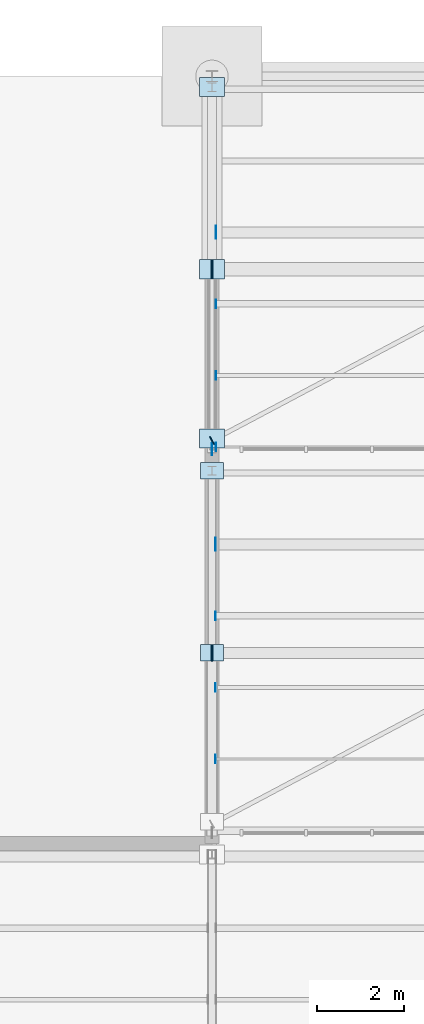
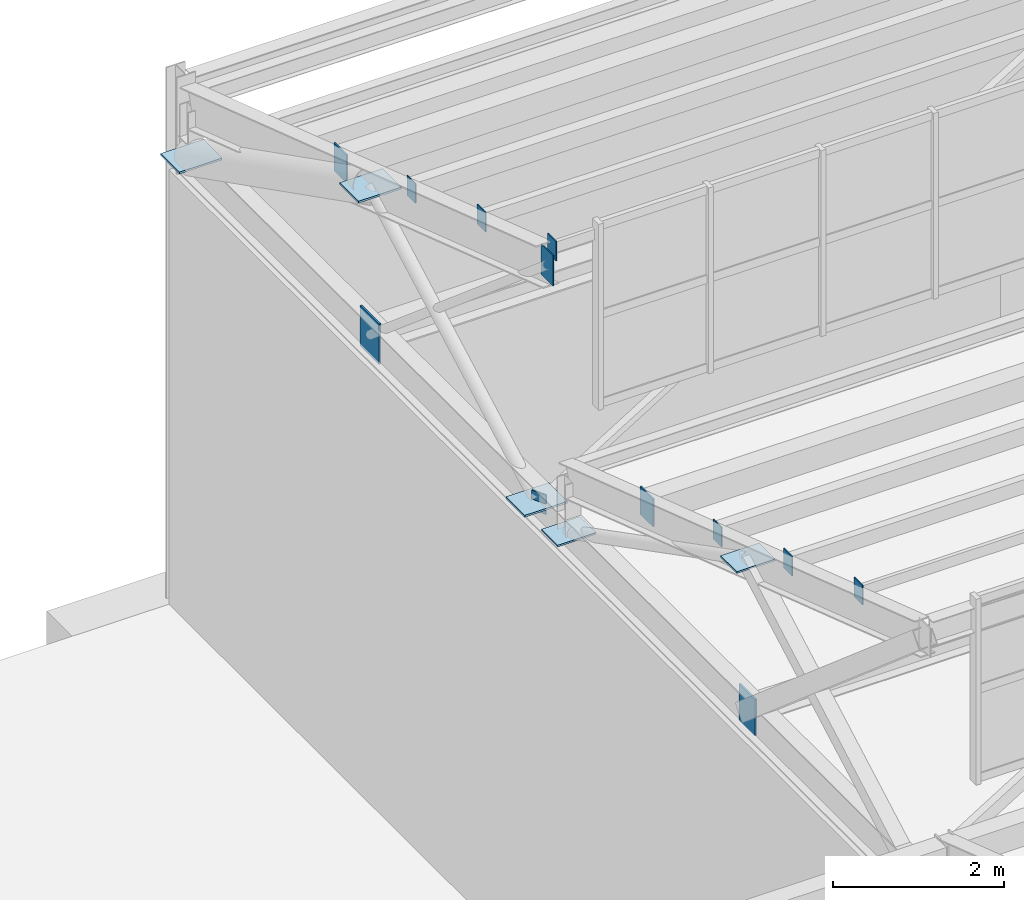
# One storey, part 242 of 285: 17 plates.
"""IFC4 building model written with IfcOpenShell, lengths in metres."""

from ifc_helpers import new_model, si_unit, direction, frame, origin, origin_2d, place, context, subcontext, project, spatial, rectangle, extrude, material, layer, layer_set, type_object, element, save


model = new_model("IFC4")

# Units and contexts
model_context = context("Model", 3, precision=1e-05, world=origin(), true_north=direction((0.0, 1.0)))
body_context = subcontext(model_context, "Body", "Model", "MODEL_VIEW")
ifc_project = project(units=[si_unit("LENGTHUNIT", "METRE"), si_unit("AREAUNIT", "SQUARE_METRE"), si_unit("VOLUMEUNIT", "CUBIC_METRE"), si_unit("PLANEANGLEUNIT", "RADIAN"), si_unit("MASSUNIT", "GRAM", prefix="KILO")], contexts=[model_context])

# Site, building, storey
site_placement = place(None, origin())
site = spatial("IfcSite", under=ifc_project, at=site_placement, CompositionType="ELEMENT")
building_placement = place(site_placement, origin())
building = spatial("IfcBuilding", under=site, at=building_placement, Name="Solanera Park Tramway Depot", CompositionType="ELEMENT")
storey_placement = place(building_placement, origin())
storey = spatial("IfcBuildingStorey", under=building, at=storey_placement, Name="L00", CompositionType="ELEMENT", Elevation=0.0)

# Plates
ifc_material_1 = material(Name="Steel AS/NZS 3679.1 Grade 350", Category="steel")
ifc_layer_1 = layer(ifc_material_1, 0.013916015625)
ifc_layer_set_1 = layer_set([ifc_layer_1], Name="Steel AS/NZS 3679.1 Grade 350")
plate_type_1 = type_object("IfcPlateType", Name="Hollow End Cap and Base Plate 280x200x14", PredefinedType="USERDEFINED", material=ifc_layer_set_1)
for number, where, z_axis, x_axis, name in (
    (1, (90.084228515625, 128.25, 9.5146484375), (0.0, 0.0, 1.0), (1.0, 0.0, 0.0), "Hollow Section Welded End Cap Plate #0950"),
    (2, (90.084228515625, 129.89990234375, 8.92919921875), (0.0, 0.0, 1.0), (1.0, 0.0, 0.0), "Hollow Section Welded End Cap Plate #0962"),
    (3, (90.084228515625, 131.550048828125, 8.34375), (0.0, 0.0, 1.0), (1.0, 0.0, 0.0), "Hollow Section Welded End Cap Plate #0974"),
    (4, (90.09375, 135.449951171875, 10.06689453125), (0.0, 0.0, 1.0), (1.0, 0.0, 0.0), "Hollow Section Welded End Cap Plate #1048"),
    (5, (90.09375, 137.10009765625, 9.4814453125), (0.0, 0.0, 1.0), (1.0, 0.0, 0.0), "Hollow Section Welded End Cap Plate #1060"),
    (6, (90.09375, 138.75, 8.89599609375), (0.0, 0.0, 1.0), (1.0, 0.0, 0.0), "Hollow Section Welded End Cap Plate #1072"),
    (7, (89.999267578125, 135.5986328125, 6.35986328125), (0.0, 0.0, 1.0), (0.883520501477, 0.468392488698, 0.0), "Hollow Section Welded End Cap Plate #1098"),
):
    element("IfcPlate", number, at=place(storey_placement, frame(where, z_axis=z_axis, x_axis=x_axis)), inside=storey, type_object=plate_type_1, Name=name, ObjectType="BASE PLATE", PredefinedType="USERDEFINED", context=body_context, shape_type="SweptSolid", body=[
        extrude(rectangle(XDim=0.013916015625, YDim=0.199951171875, at=origin_2d()), origin(), (0.0, 0.0, 1.0), 0.280029296875),
    ])
ifc_material_2 = material(Name="Steel AS/NZS 3679.1 Grade 350", Category="steel")
ifc_layer_2 = layer(ifc_material_2, 0.02001953125)
ifc_layer_set_2 = layer_set([ifc_layer_2], Name="Steel AS/NZS 3679.1 Grade 350")
plate_type_2 = type_object("IfcPlateType", Name="Hollow End Cap and Base Plate 400x300x20", PredefinedType="USERDEFINED", material=ifc_layer_set_2)
for number, where, z_axis, x_axis, name in (
    (8, (90.081298828125, 133.199951171875, 7.6650390625), (0.0, 0.0, 1.0), (1.0, 0.0, 0.0), "Hollow Section Welded End Cap Plate #0986"),
    (9, (90.0908203125, 140.39990234375, 8.217041015625), (0.0, 0.0, 1.0), (1.0, 0.0, 0.0), "Hollow Section Welded End Cap Plate #1084"),
):
    element("IfcPlate", number, at=place(storey_placement, frame(where, z_axis=z_axis, x_axis=x_axis)), inside=storey, type_object=plate_type_2, Name=name, ObjectType="BASE PLATE", PredefinedType="USERDEFINED", context=body_context, shape_type="SweptSolid", body=[
        extrude(rectangle(XDim=0.02001953125, YDim=0.300048828125, at=origin_2d()), origin(), (0.0, 0.0, 1.0), 0.39990234375),
    ])
ifc_material_3 = material(Name="Steel AS/NZS 3679.1 Grade 350", Category="steel")
ifc_layer_3 = layer(ifc_material_3, 0.02490234375)
ifc_layer_set_3 = layer_set([ifc_layer_3], Name="Steel AS/NZS 3679.1 Grade 350")
plate_type_3 = type_object("IfcPlateType", Name="Hollow End Cap and Base Plate 520x380x25", PredefinedType="USERDEFINED", material=ifc_layer_set_3)
plate_1_placement = place(storey_placement, frame((90.0, 130.699951171875, 6.239990234375), z_axis=(0.0, 0.0, 1.0), x_axis=(1.0, 0.0, 0.0)))
element("IfcPlate", 10, at=plate_1_placement, inside=storey, type_object=plate_type_3, Name="Sawtooth Truss Hollow End Cap #0925", ObjectType="BASE PLATE", PredefinedType="USERDEFINED", context=body_context, shape_type="SweptSolid", body=[
    extrude(rectangle(XDim=0.02490234375, YDim=0.3798828125, at=origin_2d()), origin(), (0.0, 0.0, 1.0), 0.52001953125),
])
for number, where, z_axis, x_axis, name in (
    (11, (90.0, 134.89990234375, 6.487548828125), (0.0, 0.0, 1.0), (1.0, 0.0, 0.0), "Sawtooth Truss Node Cap Plate #0926"),
    (12, (90.0, 130.699951171875, 8.655029296875), (0.0, 0.0, 1.0), (1.0, 0.0, 0.0), "Sawtooth Truss Node Cap Plate #0927"),
):
    element("IfcPlate", number, at=place(storey_placement, frame(where, z_axis=z_axis, x_axis=x_axis)), inside=storey, type_object=plate_type_3, Name=name, ObjectType="BASE PLATE", PredefinedType="USERDEFINED", context=body_context, shape_type="SweptSolid", body=[
        extrude(rectangle(XDim=0.52001953125, YDim=0.3798828125, at=origin_2d()), origin(), (0.0, 0.0, 1.0), 0.02490234375),
    ])
ifc_material_4 = material(Name="Steel AS/NZS 3679.1 Grade 350", Category="steel")
ifc_layer_4 = layer(ifc_material_4, 0.028076171875)
ifc_layer_set_4 = layer_set([ifc_layer_4], Name="Steel AS/NZS 3679.1 Grade 350")
plate_type_4 = type_object("IfcPlateType", Name="Hollow End Cap and Base Plate 580x440x28", PredefinedType="USERDEFINED", material=ifc_layer_set_4)
plate_2_placement = place(storey_placement, frame((90.0, 139.550048828125, 6.2099609375), z_axis=(0.0, 0.0, 1.0), x_axis=(1.0, 0.0, 0.0)))
element("IfcPlate", 13, at=plate_2_placement, inside=storey, type_object=plate_type_4, Name="Sawtooth Truss Hollow End Cap #1023", ObjectType="BASE PLATE", PredefinedType="USERDEFINED", context=body_context, shape_type="SweptSolid", body=[
    extrude(rectangle(XDim=0.028076171875, YDim=0.43994140625, at=origin_2d()), origin(), (0.0, 0.0, 1.0), 0.580078125),
])
for number, where, z_axis, x_axis, name in (
    (14, (90.0, 143.75, 6.48583984375), (0.0, 0.0, 1.0), (1.0, 0.0, 0.0), "Sawtooth Truss Node Cap Plate #1024"),
    (15, (90.0, 139.550048828125, 8.61572265625), (0.0, 0.0, 1.0), (1.0, 0.0, 0.0), "Sawtooth Truss Node Cap Plate #1025"),
    (16, (90.0, 135.64990234375, 6.48583984375), (0.0, 0.0, 1.0), (1.0, 0.0, 0.0), "Sawtooth Truss Node Cap Plate #1026"),
):
    element("IfcPlate", number, at=place(storey_placement, frame(where, z_axis=z_axis, x_axis=x_axis)), inside=storey, type_object=plate_type_4, Name=name, ObjectType="BASE PLATE", PredefinedType="USERDEFINED", context=body_context, shape_type="SweptSolid", body=[
        extrude(rectangle(XDim=0.580078125, YDim=0.43994140625, at=origin_2d()), origin(), (0.0, 0.0, 1.0), 0.028076171875),
    ])
ifc_material_5 = material(Name="Steel AS/NZS 3679.1 Grade 350", Category="steel")
ifc_layer_5 = layer(ifc_material_5, 0.01611328125)
ifc_layer_set_5 = layer_set([ifc_layer_5], Name="Steel AS/NZS 3679.1 Grade 350")
plate_type_5 = type_object("IfcPlateType", Name="Truss Node Gusset Stiffener 440x280x16", PredefinedType="SHEET", material=ifc_layer_set_5)
plate_3_placement = place(storey_placement, frame((90.0, 135.39990234375, 9.79833984375), z_axis=(0.0, 0.0, 1.0), x_axis=(1.0, 0.0, 0.0)))
element("IfcPlate", 17, at=plate_3_placement, inside=storey, type_object=plate_type_5, Name="Sawtooth Truss Apex Gusset Plate #1022", PredefinedType="SHEET", context=body_context, shape_type="SweptSolid", body=[
    extrude(rectangle(XDim=0.01611328125, YDim=0.280029296875, at=origin_2d()), origin(), (0.0, 0.0, 1.0), 0.43994140625),
])

save(model, "model.ifc")
